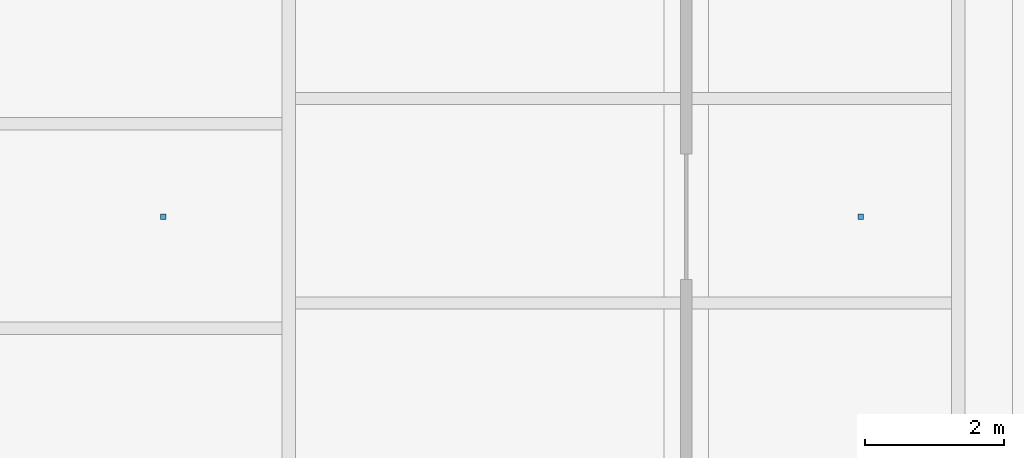
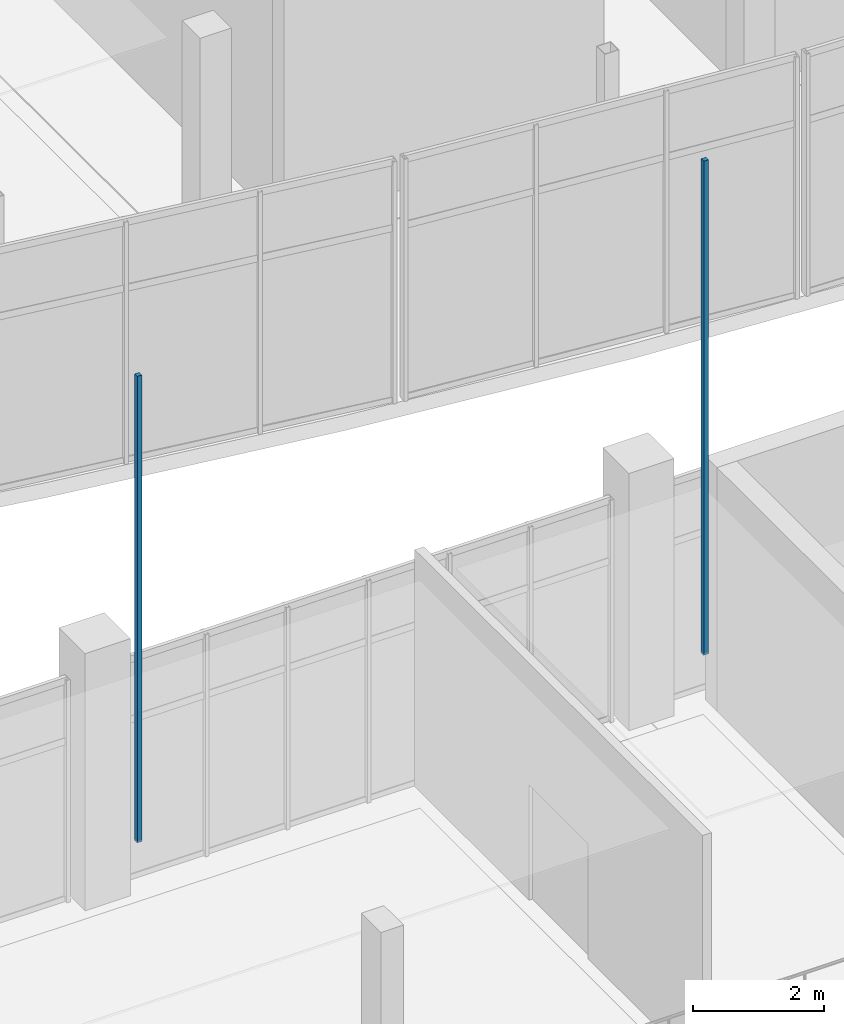
# One storey, part 139 of 157: 2 discrete accessories.
"""IFC4 building model written with IfcOpenShell, lengths in metres."""

from ifc_helpers import new_model, si_unit, direction, frame, origin, origin_2d, place, context, subcontext, project, spatial, rectangle, extrude, material, type_object, element, save


model = new_model("IFC4")

# Units and contexts
model_context = context("Model", 3, precision=1e-05, world=origin(), true_north=direction((0.0, 1.0)))
body_context = subcontext(model_context, "Body", "Model", "MODEL_VIEW")
ifc_project = project(units=[si_unit("LENGTHUNIT", "METRE"), si_unit("AREAUNIT", "SQUARE_METRE"), si_unit("VOLUMEUNIT", "CUBIC_METRE"), si_unit("PLANEANGLEUNIT", "RADIAN"), si_unit("MASSUNIT", "GRAM", prefix="KILO")], contexts=[model_context])

# Site, building, storey
site_placement = place(None, origin())
site = spatial("IfcSite", under=ifc_project, at=site_placement, CompositionType="ELEMENT")
building_placement = place(site_placement, origin())
building = spatial("IfcBuilding", under=site, at=building_placement, Name="Chalmorin Arch Market", CompositionType="ELEMENT")
storey_placement = place(building_placement, frame((0.0, 0.0, 4.800048828125)))
storey = spatial("IfcBuildingStorey", under=building, at=storey_placement, Name="L01", CompositionType="ELEMENT", Elevation=4.800048828125)

# Discrete accessories
ifc_material = material(Name="Galvanized Cold-Formed Steel", Category="steel")
discrete_accessory_type = type_object("IfcDiscreteAccessoryType", Name="CeilingSuspensionBracket-80x80", PredefinedType="BRACKET", material=ifc_material)
discrete_accessory_1_placement = place(storey_placement, frame((55.800048828125, 54.35009765625, 4.2529296875), z_axis=(0.0, 0.0, 1.0), x_axis=(1.0, 0.0, 0.0)))
element("IfcDiscreteAccessory", 1, at=discrete_accessory_1_placement, inside=storey, type_object=discrete_accessory_type, Name="CSB-145", PredefinedType="BRACKET", context=body_context, shape_type="SweptSolid", body=[
    extrude(rectangle(XDim=0.080078125, YDim=0.080078125, at=origin_2d()), origin(), (0.0, 0.0, 1.0), 8.705810546875),
])
discrete_accessory_2_placement = place(storey_placement, frame((65.800048828125, 54.35009765625, 4.2529296875), z_axis=(0.0, 0.0, 1.0), x_axis=(1.0, 0.0, 0.0)))
element("IfcDiscreteAccessory", 2, at=discrete_accessory_2_placement, inside=storey, type_object=discrete_accessory_type, Name="CSB-147", PredefinedType="BRACKET", context=body_context, shape_type="SweptSolid", body=[
    extrude(rectangle(XDim=0.080078125, YDim=0.080078125, at=origin_2d()), origin(), (0.0, 0.0, 1.0), 9.220947265625),
])

save(model, "model.ifc")
